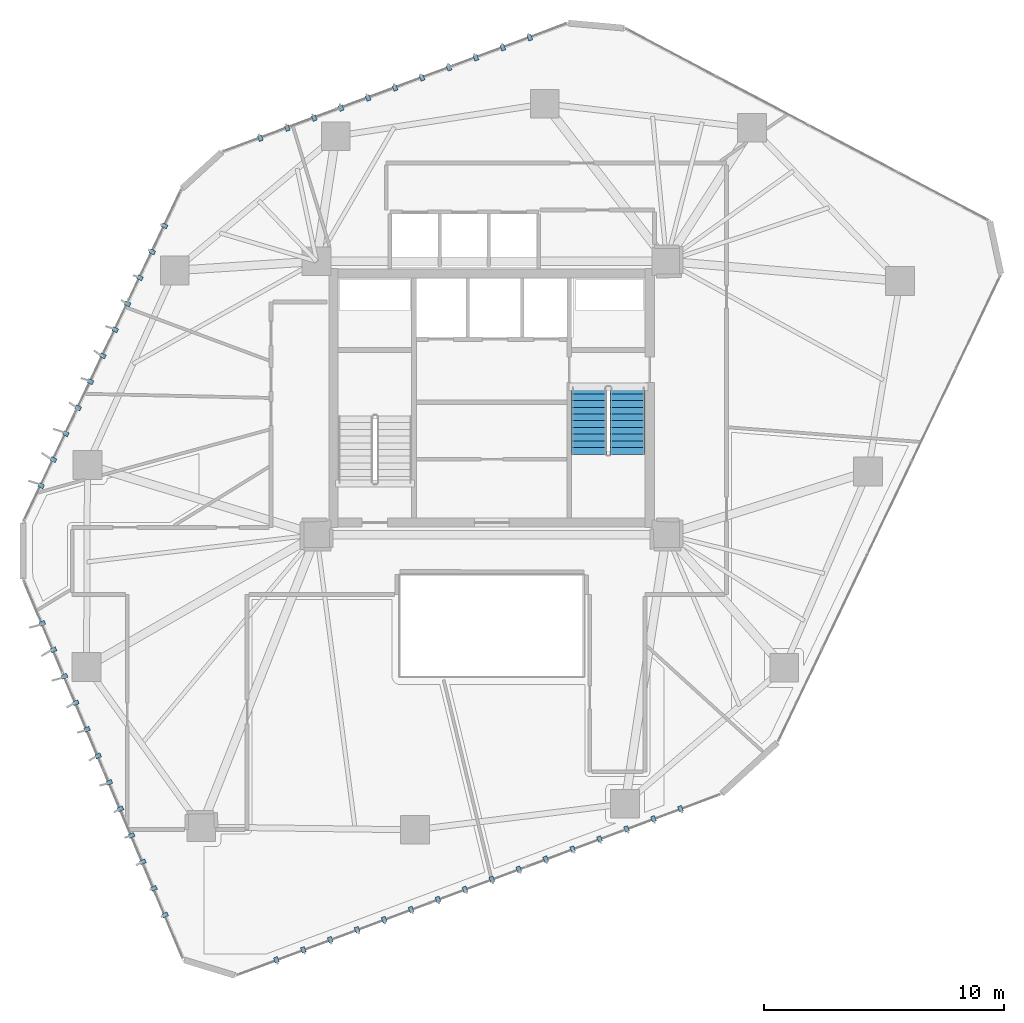
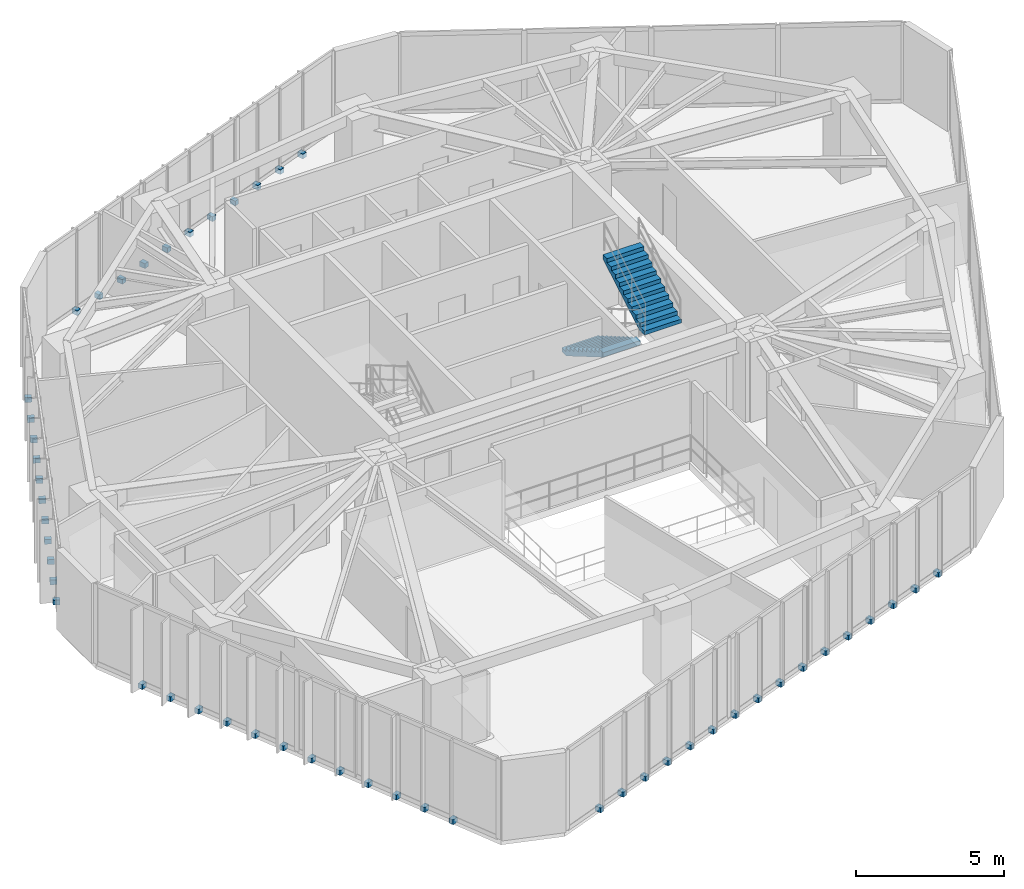
# One storey, part 19 of 22: 50 discrete accessories, 2 stair flights, 1 element without a shape of its own.
"""IFC4 building model written with IfcOpenShell, lengths in metres."""

from ifc_helpers import new_model, si_unit, direction, frame, origin, origin_2d, place, context, subcontext, project, spatial, polyline, rectangle, outline, extrude, source, transform, mapped, material, layer, layer_set, type_object, type_shapes, element, aggregate, save


model = new_model("IFC4")

# Units and contexts
model_context = context("Model", 3, precision=1e-05, world=origin(), true_north=direction((0.0, 1.0)))
body_context = subcontext(model_context, "Body", "Model", "MODEL_VIEW")
ifc_project = project(units=[si_unit("LENGTHUNIT", "METRE"), si_unit("AREAUNIT", "SQUARE_METRE"), si_unit("VOLUMEUNIT", "CUBIC_METRE"), si_unit("PLANEANGLEUNIT", "RADIAN"), si_unit("MASSUNIT", "GRAM", prefix="KILO")], contexts=[model_context])

# Site, building, storey
site_placement = place(None, origin())
site = spatial("IfcSite", under=ifc_project, at=site_placement, CompositionType="ELEMENT")
building_placement = place(site_placement, origin())
building = spatial("IfcBuilding", under=site, at=building_placement, Name="Talar Marvaseh", CompositionType="ELEMENT")
storey_placement = place(building_placement, frame((0.0, 0.0, 150.60009765625)))
storey = spatial("IfcBuildingStorey", under=building, at=storey_placement, Name="L39", CompositionType="ELEMENT", Elevation=150.60009765625)

# Stair, stair flights
ifc_material_1 = material(Name="Concrete C40/50", Category="concrete")
stair_type = type_object("IfcStairType", Name="Reinforced Concrete Half-Turn Exit Stair Type B", PredefinedType="HALF_TURN_STAIR", material=ifc_material_1)
stair_placement = place(storey_placement, origin())
stair = element("IfcStair", 1, at=stair_placement, inside=storey, type_object=stair_type, Name="L39 Tower East Core Exit Stair", PredefinedType="HALF_TURN_STAIR")
ifc_layer = layer(ifc_material_1, 0.159912109375)
ifc_layer_set = layer_set([ifc_layer], Name="Concrete C40/50")
stair_flight_type = type_object("IfcStairFlightType", Name="Reinforced Concrete Straight Stair Flight 160", PredefinedType="STRAIGHT", material=ifc_layer_set)
stair_flight_1_placement = place(storey_placement, frame((30.06494140625, 31.64990234375, 0.0), z_axis=(0.0, 0.0, 1.0), x_axis=(0.0, -1.0, 0.0)))
stair_flight_1 = element("IfcStairFlight", 2, at=stair_flight_1_placement, type_object=stair_flight_type, Name="ST-2 flight 1", NumberOfRisers=11, NumberOfTreads=10, PredefinedType="STRAIGHT", RiserHeight=0.163636364, TreadLength=0.28, context=body_context, shape_type="SweptSolid", body=[
    extrude(outline(polyline([(0.0, 0.0), (0.0, 0.16357421875), (0.280029296875, 0.16357421875), (0.280029296875, 0.327392578125), (0.56005859375, 0.327392578125), (0.56005859375, 0.490966796875), (0.840087890625, 0.490966796875), (0.840087890625, 0.654541015625), (1.1201171875, 0.654541015625), (1.1201171875, 0.818115234375), (1.39990234375, 0.818115234375), (1.39990234375, 0.98193359375), (1.679931640625, 0.98193359375), (1.679931640625, 1.1455078125), (1.9599609375, 1.1455078125), (1.9599609375, 1.30908203125), (2.239990234375, 1.30908203125), (2.239990234375, 1.47265625), (2.52001953125, 1.47265625), (2.52001953125, 1.636474609375), (2.800048828125, 1.636474609375), (2.800048828125, 1.800048828125), (2.800048828125, 1.451171875), (0.31689453125, 0.0), (0.0, 0.0)])), frame((0.0, 0.72509765625, 0.0), z_axis=(0.0, -1.0, 0.0), x_axis=(1.0, 0.0, 0.0)), (0.0, 0.0, 1.0), 1.449951171875),
])
stair_flight_2_placement = place(storey_placement, frame((31.675048828125, 28.85009765625, 1.7998046875), z_axis=(0.0, 0.0, 1.0), x_axis=(0.0, 1.0, 0.0)))
stair_flight_2 = element("IfcStairFlight", 3, at=stair_flight_2_placement, type_object=stair_flight_type, Name="ST-2 flight 2", NumberOfRisers=11, NumberOfTreads=10, PredefinedType="STRAIGHT", RiserHeight=0.163636364, TreadLength=0.28, context=body_context, shape_type="SweptSolid", body=[
    extrude(outline(polyline([(0.0, 0.0), (0.0, 0.16357421875), (0.280029296875, 0.16357421875), (0.280029296875, 0.327392578125), (0.56005859375, 0.327392578125), (0.56005859375, 0.490966796875), (0.840087890625, 0.490966796875), (0.840087890625, 0.654541015625), (1.1201171875, 0.654541015625), (1.1201171875, 0.818115234375), (1.39990234375, 0.818115234375), (1.39990234375, 0.98193359375), (1.679931640625, 0.98193359375), (1.679931640625, 1.1455078125), (1.9599609375, 1.1455078125), (1.9599609375, 1.30908203125), (2.239990234375, 1.30908203125), (2.239990234375, 1.47265625), (2.52001953125, 1.47265625), (2.52001953125, 1.636474609375), (2.800048828125, 1.636474609375), (2.800048828125, 1.800048828125), (2.800048828125, 1.451171875), (0.31689453125, 0.0), (0.0, 0.0)])), frame((0.0, 0.72509765625, 0.0), z_axis=(0.0, -1.0, 0.0), x_axis=(1.0, 0.0, 0.0)), (0.0, 0.0, 1.0), 1.449951171875),
])
aggregate(stair, [stair_flight_1, stair_flight_2])

# Discrete accessories
ifc_material_2 = material(Name="Stainless Steel Grade 316", Category="steel")
discrete_accessory_type = type_object("IfcDiscreteAccessoryType", Name="Stainless Slab-Edge Fin Mounting Bracket", PredefinedType="BRACKET", material=ifc_material_2)
shared_shape = source(origin(), body_context, "Body", "SweptSolid", [
    extrude(rectangle(XDim=0.239990234375, YDim=0.179931640625, at=origin_2d()), origin(), (0.0, 0.0, 1.0), 0.199951171875),
])
type_shapes(discrete_accessory_type, [shared_shape])
for number, where, z_axis, x_axis, name in (
    (4, (12.380859375, 9.6337890625, -0.18017578125), (0.0, 0.0, 1.0), (-0.921524629468, -0.388319916157, 0.0), "L39 Vertical Fin Slab-Edge Bracket"),
    (5, (11.914794921875, 10.73974609375, -0.18017578125), (0.0, 0.0, 1.0), (-0.921524629468, -0.388319916157, 0.0), "L39 Vertical Fin Slab-Edge Bracket"),
    (6, (11.448974609375, 11.845703125, -0.18017578125), (0.0, 0.0, 1.0), (-0.921524629468, -0.388319916157, 0.0), "L39 Vertical Fin Slab-Edge Bracket"),
    (7, (10.98291015625, 12.951416015625, -0.18017578125), (0.0, 0.0, 1.0), (-0.921524629468, -0.388319916157, 0.0), "L39 Vertical Fin Slab-Edge Bracket"),
    (8, (10.51708984375, 14.057373046875, -0.18017578125), (0.0, 0.0, 1.0), (-0.921524629468, -0.388319916157, 0.0), "L39 Vertical Fin Slab-Edge Bracket"),
    (9, (10.05126953125, 15.1630859375, -0.18017578125), (0.0, 0.0, 1.0), (-0.921524629468, -0.388319916157, 0.0), "L39 Vertical Fin Slab-Edge Bracket"),
    (10, (9.585205078125, 16.26904296875, -0.18017578125), (0.0, 0.0, 1.0), (-0.921524629468, -0.388319916157, 0.0), "L39 Vertical Fin Slab-Edge Bracket"),
    (11, (9.119384765625, 17.375, -0.18017578125), (0.0, 0.0, 1.0), (-0.921524629468, -0.388319916157, 0.0), "L39 Vertical Fin Slab-Edge Bracket"),
    (12, (8.653564453125, 18.480712890625, -0.18017578125), (0.0, 0.0, 1.0), (-0.921524629468, -0.388319916157, 0.0), "L39 Vertical Fin Slab-Edge Bracket"),
    (13, (8.1875, 19.586669921875, -0.18017578125), (0.0, 0.0, 1.0), (-0.921524629468, -0.388319916157, 0.0), "L39 Vertical Fin Slab-Edge Bracket"),
    (14, (7.7216796875, 20.6923828125, -0.18017578125), (0.0, 0.0, 1.0), (-0.921524629468, -0.388319916157, 0.0), "L39 Vertical Fin Slab-Edge Bracket"),
    (15, (7.255615234375, 21.79833984375, -0.18017578125), (0.0, 0.0, 1.0), (-0.921524629468, -0.388319916157, 0.0), "L39 Vertical Fin Slab-Edge Bracket"),
    (16, (7.204345703125, 27.5419921875, -0.18017578125), (0.0, 0.0, 1.0), (-0.903110579136, 0.429408059837, 0.0), "L39 Vertical Fin Slab-Edge Bracket"),
    (17, (7.7197265625, 28.62548828125, -0.18017578125), (0.0, 0.0, 1.0), (-0.903110579136, 0.429408059837, 0.0), "L39 Vertical Fin Slab-Edge Bracket"),
    (18, (8.235107421875, 29.709228515625, -0.18017578125), (0.0, 0.0, 1.0), (-0.903110579136, 0.429408059837, 0.0), "L39 Vertical Fin Slab-Edge Bracket"),
    (19, (8.75048828125, 30.79296875, -0.18017578125), (0.0, 0.0, 1.0), (-0.903110579136, 0.429408059837, 0.0), "L39 Vertical Fin Slab-Edge Bracket"),
    (20, (9.265625, 31.876708984375, -0.18017578125), (0.0, 0.0, 1.0), (-0.903110579136, 0.429408059837, 0.0), "L39 Vertical Fin Slab-Edge Bracket"),
    (21, (9.781005859375, 32.96044921875, -0.18017578125), (0.0, 0.0, 1.0), (-0.903110579136, 0.429408059837, 0.0), "L39 Vertical Fin Slab-Edge Bracket"),
    (22, (10.29638671875, 34.044189453125, -0.18017578125), (0.0, 0.0, 1.0), (-0.903110579136, 0.429408059837, 0.0), "L39 Vertical Fin Slab-Edge Bracket"),
    (23, (10.811767578125, 35.1279296875, -0.18017578125), (0.0, 0.0, 1.0), (-0.903110579136, 0.429408059837, 0.0), "L39 Vertical Fin Slab-Edge Bracket"),
    (24, (11.326904296875, 36.211669921875, -0.18017578125), (0.0, 0.0, 1.0), (-0.903110579136, 0.429408059837, 0.0), "L39 Vertical Fin Slab-Edge Bracket"),
    (25, (11.84228515625, 37.29541015625, -0.18017578125), (0.0, 0.0, 1.0), (-0.903110579136, 0.429408059837, 0.0), "L39 Vertical Fin Slab-Edge Bracket"),
    (26, (12.357666015625, 38.37890625, -0.18017578125), (0.0, 0.0, 1.0), (-0.903110579136, 0.429408059837, 0.0), "L39 Vertical Fin Slab-Edge Bracket"),
    (27, (16.351318359375, 42.03857421875, -0.18017578125), (0.0, 0.0, 1.0), (-0.34906275922, 0.937099349122, 0.0), "L39 Vertical Fin Slab-Edge Bracket"),
    (28, (17.475830078125, 42.45751953125, -0.18017578125), (0.0, 0.0, 1.0), (-0.34906275922, 0.937099349122, 0.0), "L39 Vertical Fin Slab-Edge Bracket"),
    (29, (18.600341796875, 42.87646484375, -0.18017578125), (0.0, 0.0, 1.0), (-0.34906275922, 0.937099349122, 0.0), "L39 Vertical Fin Slab-Edge Bracket"),
    (30, (19.724853515625, 43.29541015625, -0.18017578125), (0.0, 0.0, 1.0), (-0.34906275922, 0.937099349122, 0.0), "L39 Vertical Fin Slab-Edge Bracket"),
    (31, (20.849365234375, 43.71435546875, -0.18017578125), (0.0, 0.0, 1.0), (-0.34906275922, 0.937099349122, 0.0), "L39 Vertical Fin Slab-Edge Bracket"),
    (32, (21.973876953125, 44.13330078125, -0.18017578125), (0.0, 0.0, 1.0), (-0.34906275922, 0.937099349122, 0.0), "L39 Vertical Fin Slab-Edge Bracket"),
    (33, (23.098388671875, 44.552001953125, -0.18017578125), (0.0, 0.0, 1.0), (-0.34906275922, 0.937099349122, 0.0), "L39 Vertical Fin Slab-Edge Bracket"),
    (34, (24.222900390625, 44.970947265625, -0.18017578125), (0.0, 0.0, 1.0), (-0.34906275922, 0.937099349122, 0.0), "L39 Vertical Fin Slab-Edge Bracket"),
    (35, (25.347412109375, 45.389892578125, -0.18017578125), (0.0, 0.0, 1.0), (-0.34906275922, 0.937099349122, 0.0), "L39 Vertical Fin Slab-Edge Bracket"),
    (36, (26.471923828125, 45.808837890625, -0.18017578125), (0.0, 0.0, 1.0), (-0.34906275922, 0.937099349122, 0.0), "L39 Vertical Fin Slab-Edge Bracket"),
    (37, (27.596435546875, 46.227783203125, -0.18017578125), (0.0, 0.0, 1.0), (-0.34906275922, 0.937099349122, 0.0), "L39 Vertical Fin Slab-Edge Bracket"),
    (38, (33.878662109375, 14.06201171875, -0.18017578125), (0.0, 0.0, 1.0), (0.350370856062, -0.936611052264, 0.0), "L39 Vertical Fin Slab-Edge Bracket"),
    (39, (32.7548828125, 13.6416015625, -0.18017578125), (0.0, 0.0, 1.0), (0.350370856062, -0.936611052264, 0.0), "L39 Vertical Fin Slab-Edge Bracket"),
    (40, (31.630859375, 13.22119140625, -0.18017578125), (0.0, 0.0, 1.0), (0.350370856062, -0.936611052264, 0.0), "L39 Vertical Fin Slab-Edge Bracket"),
    (41, (30.5068359375, 12.80078125, -0.18017578125), (0.0, 0.0, 1.0), (0.350370856062, -0.936611052264, 0.0), "L39 Vertical Fin Slab-Edge Bracket"),
    (42, (29.383056640625, 12.38037109375, -0.18017578125), (0.0, 0.0, 1.0), (0.350370856062, -0.936611052264, 0.0), "L39 Vertical Fin Slab-Edge Bracket"),
    (43, (28.259033203125, 11.9599609375, -0.18017578125), (0.0, 0.0, 1.0), (0.350370856062, -0.936611052264, 0.0), "L39 Vertical Fin Slab-Edge Bracket"),
    (44, (27.135009765625, 11.53955078125, -0.18017578125), (0.0, 0.0, 1.0), (0.350370856062, -0.936611052264, 0.0), "L39 Vertical Fin Slab-Edge Bracket"),
    (45, (26.010986328125, 11.118896484375, -0.18017578125), (0.0, 0.0, 1.0), (0.350370856062, -0.936611052264, 0.0), "L39 Vertical Fin Slab-Edge Bracket"),
    (46, (24.88720703125, 10.698486328125, -0.18017578125), (0.0, 0.0, 1.0), (0.350370856062, -0.936611052264, 0.0), "L39 Vertical Fin Slab-Edge Bracket"),
    (47, (23.76318359375, 10.2783203125, -0.18017578125), (0.0, 0.0, 1.0), (0.350370856062, -0.936611052264, 0.0), "L39 Vertical Fin Slab-Edge Bracket"),
    (48, (22.639404296875, 9.85791015625, -0.18017578125), (0.0, 0.0, 1.0), (0.350370856062, -0.936611052264, 0.0), "L39 Vertical Fin Slab-Edge Bracket"),
    (49, (21.515380859375, 9.4375, -0.18017578125), (0.0, 0.0, 1.0), (0.350370856062, -0.936611052264, 0.0), "L39 Vertical Fin Slab-Edge Bracket"),
    (50, (20.391357421875, 9.016845703125, -0.18017578125), (0.0, 0.0, 1.0), (0.350370856062, -0.936611052264, 0.0), "L39 Vertical Fin Slab-Edge Bracket"),
    (51, (19.267578125, 8.596435546875, -0.18017578125), (0.0, 0.0, 1.0), (0.350370856062, -0.936611052264, 0.0), "L39 Vertical Fin Slab-Edge Bracket"),
    (52, (18.1435546875, 8.176025390625, -0.18017578125), (0.0, 0.0, 1.0), (0.350370856062, -0.936611052264, 0.0), "L39 Vertical Fin Slab-Edge Bracket"),
    (53, (17.01953125, 7.755615234375, -0.18017578125), (0.0, 0.0, 1.0), (0.350370856062, -0.936611052264, 0.0), "L39 Vertical Fin Slab-Edge Bracket"),
):
    element("IfcDiscreteAccessory", number, at=place(storey_placement, frame(where, z_axis=z_axis, x_axis=x_axis)), inside=storey, type_object=discrete_accessory_type, Name=name, PredefinedType="BRACKET", context=body_context, shape_type="MappedRepresentation", body=[
        mapped(shared_shape, transform((0.0, 0.0, 0.0), x_axis=(1.0, 0.0, 0.0), y_axis=(0.0, 1.0, 0.0), z_axis=(0.0, 0.0, 1.0), scale=1.0)),
    ])

save(model, "model.ifc")
